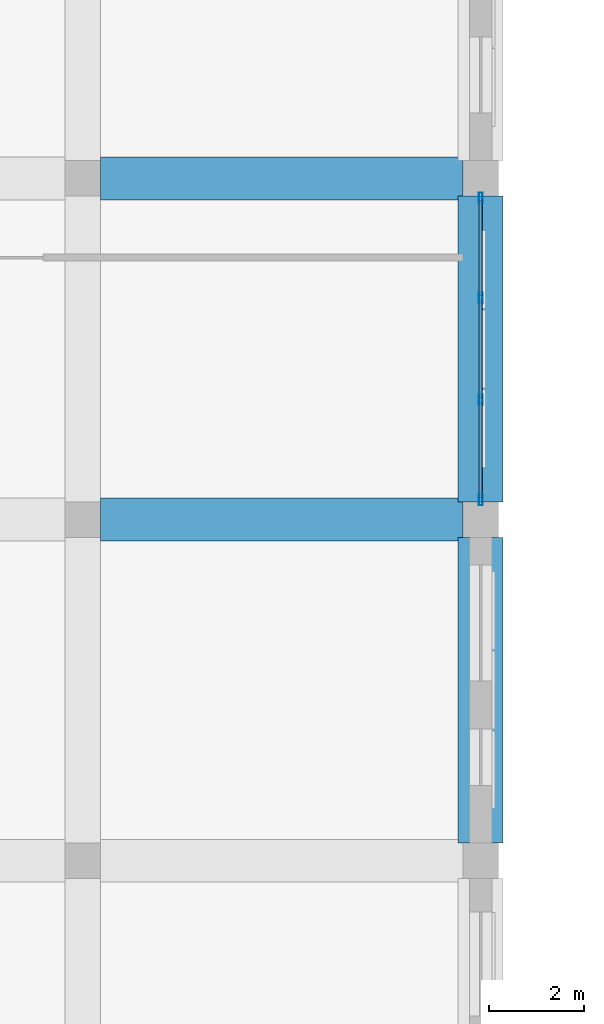
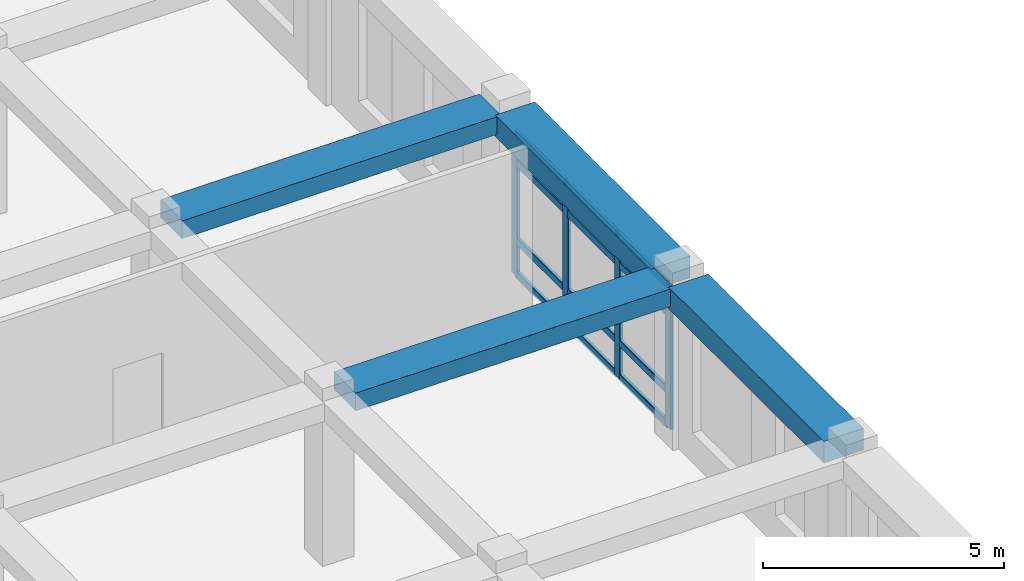
# One storey, part 38 of 111: 16 members, 4 beams, 1 element without a shape of its own.
"""IFC4 building model written with IfcOpenShell, lengths in metres."""

from ifc_helpers import new_model, si_unit, derived_unit, direction, frame, origin, origin_2d, place, context, subcontext, project, spatial, rectangle, hollow_rectangle, extrude, material, material_profile, profile_set, type_object, element, aggregate, save


model = new_model("IFC4")

# Units and contexts
model_context = context("Model", 3, precision=1e-05, world=origin(), true_north=direction((0.0, 1.0)))
body_context = subcontext(model_context, "Body", "Model", "MODEL_VIEW")
ifc_project = project(units=[si_unit("LENGTHUNIT", "METRE"), si_unit("AREAUNIT", "SQUARE_METRE"), si_unit("VOLUMEUNIT", "CUBIC_METRE"), si_unit("PLANEANGLEUNIT", "RADIAN"), si_unit("MASSUNIT", "GRAM", prefix="KILO"), derived_unit("THERMALTRANSMITTANCEUNIT", [(si_unit("POWERUNIT", "WATT"), 1), (si_unit("LENGTHUNIT", "METRE"), -2), (si_unit("THERMODYNAMICTEMPERATUREUNIT", "KELVIN"), -1)])], contexts=[model_context])

# Site, building, storey
site_placement = place(None, origin())
site = spatial("IfcSite", under=ifc_project, at=site_placement, CompositionType="ELEMENT")
building_placement = place(site_placement, origin())
building = spatial("IfcBuilding", under=site, at=building_placement, Name="Veybourne Emporium", CompositionType="ELEMENT")
storey_placement = place(building_placement, frame((0.0, 0.0, 9.89990234375)))
storey = spatial("IfcBuildingStorey", under=building, at=storey_placement, Name="L02", CompositionType="ELEMENT", Elevation=9.89990234375)

# Curtain wall, members
ifc_material_1 = material(Name="Patinated Architectural Bronze", Category="bronze")
curtain_wall_type = type_object("IfcCurtainWallType", Name="CWSystem_CWS-23", PredefinedType="NOTDEFINED", material=ifc_material_1)
curtain_wall_placement = place(storey_placement, origin())
curtain_wall = element("IfcCurtainWall", 1, at=curtain_wall_placement, inside=storey, type_object=curtain_wall_type, Name="L02 bronze glazed curtain wall CWS-23 (057)", PredefinedType="NOTDEFINED")
ifc_material_profile_1 = material_profile(ifc_material_1, hollow_rectangle(XDim=0.077880859375, YDim=0.235107421875, WallThickness=0.0048828125, InnerFilletRadius=0.007568359375, OuterFilletRadius=0.012451171875, at=origin_2d()), Name="CWM 78x235x5")
ifc_profile_set_1 = profile_set([ifc_material_profile_1], Name="Patinated Architectural Bronze")
member_type_1 = type_object("IfcMemberType", Name="CWMullion_CW-M3", PredefinedType="MULLION", material=ifc_profile_set_1)
member_1_placement = place(storey_placement, frame((100.800048828125, 93.18603515625, 0.0), z_axis=(0.0, 0.0, 1.0), x_axis=(1.0, 0.0, 0.0)))
member_1 = element("IfcMember", 2, at=member_1_placement, type_object=member_type_1, Name="CWS-23 mullion 1", PredefinedType="MULLION", context=body_context, shape_type="SweptSolid", body=[
    extrude(hollow_rectangle(XDim=0.077880859375, YDim=0.235107421875, WallThickness=0.0048828125, InnerFilletRadius=0.007568359375, OuterFilletRadius=0.012451171875, at=origin_2d()), origin(), (0.0, 0.0, 1.0), 3.630126953125),
])
member_2_placement = place(storey_placement, frame((100.800048828125, 91.074951171875, 0.0), z_axis=(0.0, 0.0, 1.0), x_axis=(1.0, 0.0, 0.0)))
member_2 = element("IfcMember", 3, at=member_2_placement, type_object=member_type_1, Name="CWS-23 mullion 2", PredefinedType="MULLION", context=body_context, shape_type="SweptSolid", body=[
    extrude(hollow_rectangle(XDim=0.077880859375, YDim=0.235107421875, WallThickness=0.0048828125, InnerFilletRadius=0.007568359375, OuterFilletRadius=0.012451171875, at=origin_2d()), origin(), (0.0, 0.0, 1.0), 3.630126953125),
])
member_3_placement = place(storey_placement, frame((100.800048828125, 88.925048828125, 0.0), z_axis=(0.0, 0.0, 1.0), x_axis=(1.0, 0.0, 0.0)))
member_3 = element("IfcMember", 4, at=member_3_placement, type_object=member_type_1, Name="CWS-23 mullion 3", PredefinedType="MULLION", context=body_context, shape_type="SweptSolid", body=[
    extrude(hollow_rectangle(XDim=0.077880859375, YDim=0.235107421875, WallThickness=0.0048828125, InnerFilletRadius=0.007568359375, OuterFilletRadius=0.012451171875, at=origin_2d()), origin(), (0.0, 0.0, 1.0), 3.630126953125),
])
member_4_placement = place(storey_placement, frame((100.800048828125, 86.81396484375, 0.0), z_axis=(0.0, 0.0, 1.0), x_axis=(1.0, 0.0, 0.0)))
member_4 = element("IfcMember", 5, at=member_4_placement, type_object=member_type_1, Name="CWS-23 mullion 4", PredefinedType="MULLION", context=body_context, shape_type="SweptSolid", body=[
    extrude(hollow_rectangle(XDim=0.077880859375, YDim=0.235107421875, WallThickness=0.0048828125, InnerFilletRadius=0.007568359375, OuterFilletRadius=0.012451171875, at=origin_2d()), origin(), (0.0, 0.0, 1.0), 3.630126953125),
])
ifc_material_profile_2 = material_profile(ifc_material_1, hollow_rectangle(XDim=0.077880859375, YDim=0.18505859375, WallThickness=0.0048828125, InnerFilletRadius=0.007568359375, OuterFilletRadius=0.012451171875, at=origin_2d()), Name="CWT 78x185x5")
ifc_profile_set_2 = profile_set([ifc_material_profile_2], Name="Patinated Architectural Bronze")
member_type_2 = type_object("IfcMemberType", Name="CWTransom_CW-T3", PredefinedType="NOTDEFINED", material=ifc_profile_set_2)
member_5_placement = place(storey_placement, frame((100.800048828125, 93.14697265625, 0.0390625), z_axis=(0.0, -1.0, 0.0), x_axis=(1.0, 0.0, 0.0)))
member_5 = element("IfcMember", 6, at=member_5_placement, type_object=member_type_2, Name="CWS-23 transom 1.1", ObjectType="TRANSOM", PredefinedType="USERDEFINED", context=body_context, shape_type="SweptSolid", body=[
    extrude(hollow_rectangle(XDim=0.077880859375, YDim=0.18505859375, WallThickness=0.0048828125, InnerFilletRadius=0.007568359375, OuterFilletRadius=0.012451171875, at=origin_2d()), origin(), (0.0, 0.0, 1.0), 2.032958984375),
])
member_6_placement = place(storey_placement, frame((100.800048828125, 93.14697265625, 0.900146484375), z_axis=(0.0, -1.0, 0.0), x_axis=(1.0, 0.0, 0.0)))
member_6 = element("IfcMember", 7, at=member_6_placement, type_object=member_type_2, Name="CWS-23 transom 1.2", ObjectType="TRANSOM", PredefinedType="USERDEFINED", context=body_context, shape_type="SweptSolid", body=[
    extrude(hollow_rectangle(XDim=0.077880859375, YDim=0.18505859375, WallThickness=0.0048828125, InnerFilletRadius=0.007568359375, OuterFilletRadius=0.012451171875, at=origin_2d()), origin(), (0.0, 0.0, 1.0), 2.032958984375),
])
member_7_placement = place(storey_placement, frame((100.800048828125, 93.14697265625, 2.880126953125), z_axis=(0.0, -1.0, 0.0), x_axis=(1.0, 0.0, 0.0)))
member_7 = element("IfcMember", 8, at=member_7_placement, type_object=member_type_2, Name="CWS-23 transom 1.3", ObjectType="TRANSOM", PredefinedType="USERDEFINED", context=body_context, shape_type="SweptSolid", body=[
    extrude(hollow_rectangle(XDim=0.077880859375, YDim=0.18505859375, WallThickness=0.0048828125, InnerFilletRadius=0.007568359375, OuterFilletRadius=0.012451171875, at=origin_2d()), origin(), (0.0, 0.0, 1.0), 2.032958984375),
])
member_8_placement = place(storey_placement, frame((100.800048828125, 93.14697265625, 3.591064453125), z_axis=(0.0, -1.0, 0.0), x_axis=(1.0, 0.0, 0.0)))
member_8 = element("IfcMember", 9, at=member_8_placement, type_object=member_type_2, Name="CWS-23 transom 1.4", ObjectType="TRANSOM", PredefinedType="USERDEFINED", context=body_context, shape_type="SweptSolid", body=[
    extrude(hollow_rectangle(XDim=0.077880859375, YDim=0.18505859375, WallThickness=0.0048828125, InnerFilletRadius=0.007568359375, OuterFilletRadius=0.012451171875, at=origin_2d()), origin(), (0.0, 0.0, 1.0), 2.032958984375),
])
member_9_placement = place(storey_placement, frame((100.800048828125, 91.035888671875, 0.0390625), z_axis=(0.0, -1.0, 0.0), x_axis=(1.0, 0.0, 0.0)))
member_9 = element("IfcMember", 10, at=member_9_placement, type_object=member_type_2, Name="CWS-23 transom 2.1", ObjectType="TRANSOM", PredefinedType="USERDEFINED", context=body_context, shape_type="SweptSolid", body=[
    extrude(hollow_rectangle(XDim=0.077880859375, YDim=0.18505859375, WallThickness=0.0048828125, InnerFilletRadius=0.007568359375, OuterFilletRadius=0.012451171875, at=origin_2d()), origin(), (0.0, 0.0, 1.0), 2.07177734375),
])
member_10_placement = place(storey_placement, frame((100.800048828125, 91.035888671875, 0.900146484375), z_axis=(0.0, -1.0, 0.0), x_axis=(1.0, 0.0, 0.0)))
member_10 = element("IfcMember", 11, at=member_10_placement, type_object=member_type_2, Name="CWS-23 transom 2.2", ObjectType="TRANSOM", PredefinedType="USERDEFINED", context=body_context, shape_type="SweptSolid", body=[
    extrude(hollow_rectangle(XDim=0.077880859375, YDim=0.18505859375, WallThickness=0.0048828125, InnerFilletRadius=0.007568359375, OuterFilletRadius=0.012451171875, at=origin_2d()), origin(), (0.0, 0.0, 1.0), 2.07177734375),
])
member_11_placement = place(storey_placement, frame((100.800048828125, 91.035888671875, 2.880126953125), z_axis=(0.0, -1.0, 0.0), x_axis=(1.0, 0.0, 0.0)))
member_11 = element("IfcMember", 12, at=member_11_placement, type_object=member_type_2, Name="CWS-23 transom 2.3", ObjectType="TRANSOM", PredefinedType="USERDEFINED", context=body_context, shape_type="SweptSolid", body=[
    extrude(hollow_rectangle(XDim=0.077880859375, YDim=0.18505859375, WallThickness=0.0048828125, InnerFilletRadius=0.007568359375, OuterFilletRadius=0.012451171875, at=origin_2d()), origin(), (0.0, 0.0, 1.0), 2.07177734375),
])
member_12_placement = place(storey_placement, frame((100.800048828125, 91.035888671875, 3.591064453125), z_axis=(0.0, -1.0, 0.0), x_axis=(1.0, 0.0, 0.0)))
member_12 = element("IfcMember", 13, at=member_12_placement, type_object=member_type_2, Name="CWS-23 transom 2.4", ObjectType="TRANSOM", PredefinedType="USERDEFINED", context=body_context, shape_type="SweptSolid", body=[
    extrude(hollow_rectangle(XDim=0.077880859375, YDim=0.18505859375, WallThickness=0.0048828125, InnerFilletRadius=0.007568359375, OuterFilletRadius=0.012451171875, at=origin_2d()), origin(), (0.0, 0.0, 1.0), 2.07177734375),
])
member_13_placement = place(storey_placement, frame((100.800048828125, 88.885986328125, 0.0390625), z_axis=(0.0, -1.0, 0.0), x_axis=(1.0, 0.0, 0.0)))
member_13 = element("IfcMember", 14, at=member_13_placement, type_object=member_type_2, Name="CWS-23 transom 3.1", ObjectType="TRANSOM", PredefinedType="USERDEFINED", context=body_context, shape_type="SweptSolid", body=[
    extrude(hollow_rectangle(XDim=0.077880859375, YDim=0.18505859375, WallThickness=0.0048828125, InnerFilletRadius=0.007568359375, OuterFilletRadius=0.012451171875, at=origin_2d()), origin(), (0.0, 0.0, 1.0), 2.032958984375),
])
member_14_placement = place(storey_placement, frame((100.800048828125, 88.885986328125, 0.900146484375), z_axis=(0.0, -1.0, 0.0), x_axis=(1.0, 0.0, 0.0)))
member_14 = element("IfcMember", 15, at=member_14_placement, type_object=member_type_2, Name="CWS-23 transom 3.2", ObjectType="TRANSOM", PredefinedType="USERDEFINED", context=body_context, shape_type="SweptSolid", body=[
    extrude(hollow_rectangle(XDim=0.077880859375, YDim=0.18505859375, WallThickness=0.0048828125, InnerFilletRadius=0.007568359375, OuterFilletRadius=0.012451171875, at=origin_2d()), origin(), (0.0, 0.0, 1.0), 2.032958984375),
])
member_15_placement = place(storey_placement, frame((100.800048828125, 88.885986328125, 2.880126953125), z_axis=(0.0, -1.0, 0.0), x_axis=(1.0, 0.0, 0.0)))
member_15 = element("IfcMember", 16, at=member_15_placement, type_object=member_type_2, Name="CWS-23 transom 3.3", ObjectType="TRANSOM", PredefinedType="USERDEFINED", context=body_context, shape_type="SweptSolid", body=[
    extrude(hollow_rectangle(XDim=0.077880859375, YDim=0.18505859375, WallThickness=0.0048828125, InnerFilletRadius=0.007568359375, OuterFilletRadius=0.012451171875, at=origin_2d()), origin(), (0.0, 0.0, 1.0), 2.032958984375),
])
member_16_placement = place(storey_placement, frame((100.800048828125, 88.885986328125, 3.591064453125), z_axis=(0.0, -1.0, 0.0), x_axis=(1.0, 0.0, 0.0)))
member_16 = element("IfcMember", 17, at=member_16_placement, type_object=member_type_2, Name="CWS-23 transom 3.4", ObjectType="TRANSOM", PredefinedType="USERDEFINED", context=body_context, shape_type="SweptSolid", body=[
    extrude(hollow_rectangle(XDim=0.077880859375, YDim=0.18505859375, WallThickness=0.0048828125, InnerFilletRadius=0.007568359375, OuterFilletRadius=0.012451171875, at=origin_2d()), origin(), (0.0, 0.0, 1.0), 2.032958984375),
])
aggregate(curtain_wall, [member_1, member_2, member_3, member_4, member_5, member_6, member_7, member_8, member_9, member_10, member_11, member_12, member_13, member_14, member_15, member_16])

# Beams
ifc_material_2 = material(Name="Concrete C32/40", Category="concrete")
ifc_material_profile_3 = material_profile(ifc_material_2, rectangle(XDim=0.89990234375, YDim=0.449951171875, at=origin_2d()), Name="RC 900x450")
ifc_profile_set_3 = profile_set([ifc_material_profile_3], Name="Concrete C32/40")
beam_type_1 = type_object("IfcBeamType", Name="RCBeam_BB-03", PredefinedType="BEAM", material=ifc_profile_set_3)
for number, where, z_axis, x_axis, name in (
    (18, (92.77490234375, 86.39990234375, 3.955078125), (1.0, 0.0, 0.0), (0.0, 1.0, 0.0), "L02 X-grid beam BB-03 (11,12)"),
    (19, (92.77490234375, 93.60009765625, 3.955078125), (1.0, 0.0, 0.0), (0.0, 1.0, 0.0), "L02 X-grid beam BB-03 (11,13)"),
):
    element("IfcBeam", number, at=place(storey_placement, frame(where, z_axis=z_axis, x_axis=x_axis)), inside=storey, type_object=beam_type_1, Name=name, PredefinedType="BEAM", context=body_context, shape_type="SweptSolid", body=[
        extrude(rectangle(XDim=0.89990234375, YDim=0.449951171875, at=origin_2d()), origin(), (0.0, 0.0, 1.0), 7.650146484375),
    ])
ifc_material_profile_4 = material_profile(ifc_material_2, rectangle(XDim=0.949951171875, YDim=0.550048828125, at=origin_2d()), Name="RC 950x550")
ifc_profile_set_4 = profile_set([ifc_material_profile_4], Name="Concrete C32/40")
beam_type_2 = type_object("IfcBeamType", Name="RCBeam_EB-01", PredefinedType="SPANDREL", material=ifc_profile_set_4)
beam_1_placement = place(storey_placement, frame((100.800048828125, 79.574951171875, 3.905029296875), z_axis=(0.0, 1.0, 0.0), x_axis=(-1.0, 0.0, 0.0)))
element("IfcBeam", 20, at=beam_1_placement, inside=storey, type_object=beam_type_2, Name="L02 Y-grid beam EB-01 (12,11)", PredefinedType="SPANDREL", context=body_context, shape_type="SweptSolid", body=[
    extrude(rectangle(XDim=0.949951171875, YDim=0.550048828125, at=origin_2d()), origin(), (0.0, 0.0, 1.0), 6.449951171875),
])
beam_2_placement = place(storey_placement, frame((100.800048828125, 86.77490234375, 3.905029296875), z_axis=(0.0, 1.0, 0.0), x_axis=(-1.0, 0.0, 0.0)))
element("IfcBeam", 21, at=beam_2_placement, inside=storey, type_object=beam_type_2, Name="L02 Y-grid beam EB-01 (12,12)", PredefinedType="SPANDREL", context=body_context, shape_type="SweptSolid", body=[
    extrude(rectangle(XDim=0.949951171875, YDim=0.550048828125, at=origin_2d()), origin(), (0.0, 0.0, 1.0), 6.4501953125),
])

save(model, "model.ifc")
